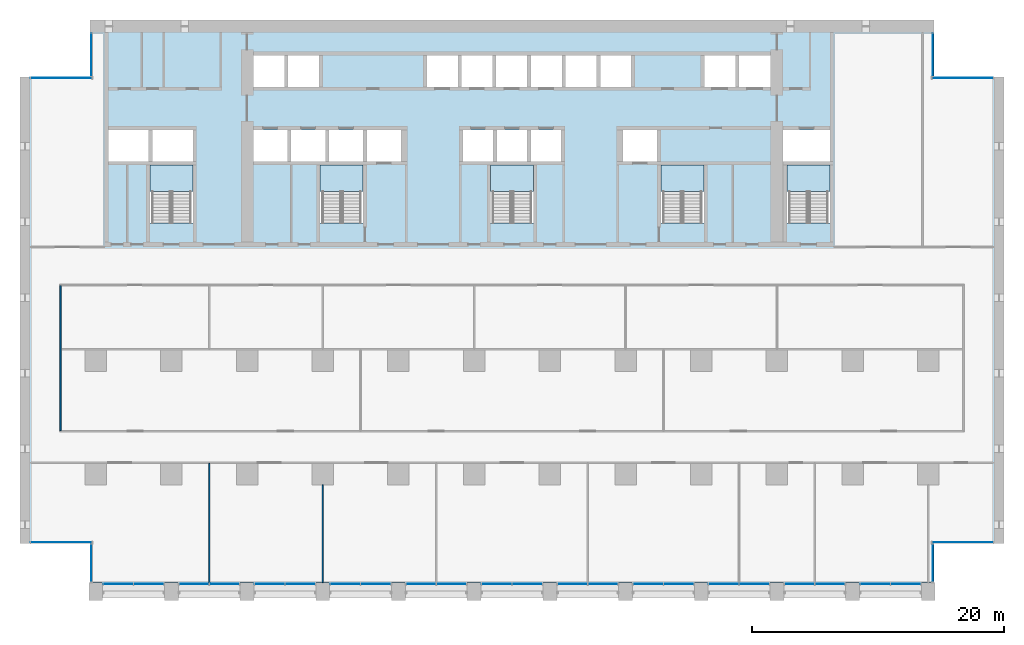
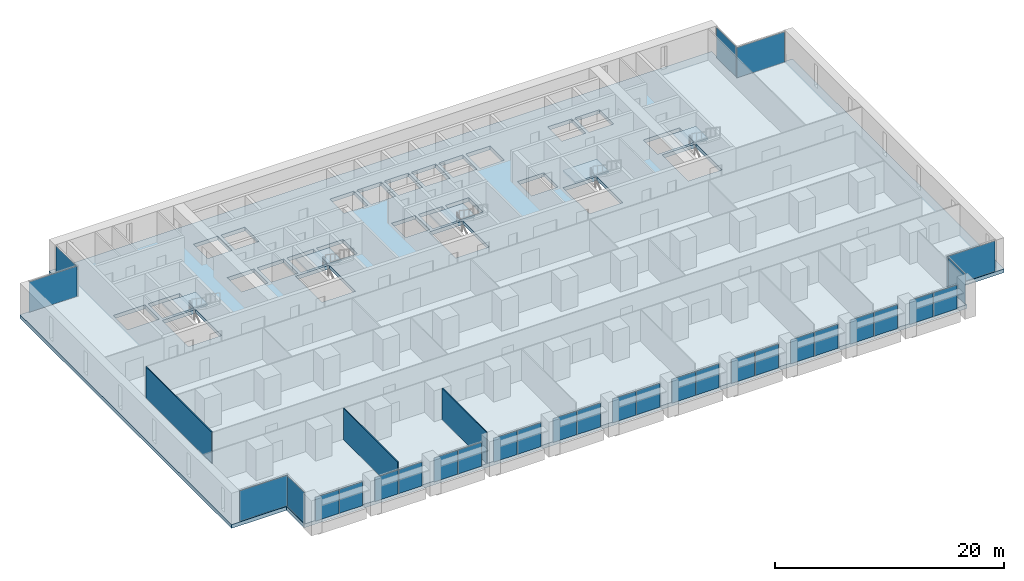
# One storey, part 7 of 18: 30 plates, 6 slabs, 3 walls, 24 elements without a shape of their own.
"""IFC4 building model written with IfcOpenShell, lengths in metres."""

import ifcopenshell
import ifcopenshell.guid

model = None  # the IFC model being written
_history = None  # IfcOwnerHistory: only IFC2X3 demands one
_inside = {}  # id of a spatial element -> (the spatial element, [elements in it])
_under = {}  # id of a project, library or spatial element -> (it, [spatial elements below it])
_declared = {}  # id of a project -> (the project, [libraries it declares])
_typed = {}  # id of a type object -> (the type object, [elements of that type])
_made_of = {}  # id of a material, layer set ... -> (it, [elements and type objects made of it])


def new_model(schema):
    """Start an empty IFC model of exactly this schema.

    Asked for "IFC4X3", IfcOpenShell would pick the latest addendum, in which some entities
    have other attributes; the version numbers below select the first issue.
    IFC2X3 requires an IfcOwnerHistory on every rooted entity: one is made here for all.
    """
    global model, _history
    if schema == "IFC4X3":
        model = ifcopenshell.file(schema_version=(4, 3, 0, 0))
    else:
        model = ifcopenshell.file(schema=schema)
    _inside.clear()
    _under.clear()
    _declared.clear()
    _typed.clear()
    _made_of.clear()
    _history = None
    if model.schema == "IFC2X3":
        org = make("IfcOrganization", Name="unknown")
        user = make(
            "IfcPersonAndOrganization",
            ThePerson=make("IfcPerson", FamilyName="unknown"),
            TheOrganization=org,
        )
        app = make(
            "IfcApplication",
            ApplicationDeveloper=org,
            Version="unknown",
            ApplicationFullName="unknown",
            ApplicationIdentifier="unknown",
        )
        _history = make(
            "IfcOwnerHistory",
            OwningUser=user,
            OwningApplication=app,
            ChangeAction="ADDED",
            CreationDate=0,
        )
    return model


def make(cls, **values):
    """One entity of the class cls with the attributes given. An attribute that is None is left unset."""
    return model.create_entity(
        cls, **{name: value for name, value in values.items() if value is not None}
    )


def rooted(cls, **values):
    """An entity with a GlobalId (a new one), such as an element, a storey or a relation."""
    return make(cls, GlobalId=ifcopenshell.guid.new(), OwnerHistory=_history, **values)


def si_unit(unit_type, name, prefix=None):
    """IfcSIUnit, for example si_unit("LENGTHUNIT", "METRE", prefix="MILLI")."""
    return make("IfcSIUnit", UnitType=unit_type, Prefix=prefix, Name=name)


def assignment(units):
    """IfcUnitAssignment: the units of a project."""
    return None if units is None else make("IfcUnitAssignment", Units=units)


def point(xyz):
    """IfcCartesianPoint."""
    return None if xyz is None else make("IfcCartesianPoint", Coordinates=xyz)


def direction(xyz):
    """IfcDirection."""
    return None if xyz is None else make("IfcDirection", DirectionRatios=xyz)


def frame(location, z_axis=None, x_axis=None):
    """IfcAxis2Placement3D, a coordinate frame: its origin and axes. An axis left out is left unset."""
    return make(
        "IfcAxis2Placement3D",
        Location=point(location),
        Axis=direction(z_axis),
        RefDirection=direction(x_axis),
    )


def frame_2d(location, x_axis=None):
    """IfcAxis2Placement2D, a coordinate frame in the plane: its origin and x axis."""
    return make(
        "IfcAxis2Placement2D", Location=point(location), RefDirection=direction(x_axis)
    )


def origin():
    """The frame at (0, 0, 0) with its axes left unset."""
    return frame((0.0, 0.0, 0.0))


def origin_2d():
    """The frame at (0, 0) in the plane with its x axis left unset."""
    return frame_2d((0.0, 0.0))


def place(relative_to, where):
    """IfcLocalPlacement: puts the frame where relative to a parent placement (None: the world)."""
    return make(
        "IfcLocalPlacement", PlacementRelTo=relative_to, RelativePlacement=where
    )


def context(
    kind, dimensions, precision=None, world=None, true_north=None, identifier=None
):
    """IfcGeometricRepresentationContext, for example the 3D "Model" context."""
    return make(
        "IfcGeometricRepresentationContext",
        ContextIdentifier=identifier,
        ContextType=kind,
        CoordinateSpaceDimension=dimensions,
        Precision=precision,
        WorldCoordinateSystem=world,
        TrueNorth=true_north,
    )


def subcontext(parent, identifier, kind, view, scale=None):
    """IfcGeometricRepresentationSubContext, for example "Body" below "Model"."""
    return make(
        "IfcGeometricRepresentationSubContext",
        ContextIdentifier=identifier,
        ContextType=kind,
        ParentContext=parent,
        TargetScale=scale,
        TargetView=view,
    )


def project(units=None, contexts=None):
    """IfcProject with its units and contexts."""
    return rooted(
        "IfcProject",
        Name="project",
        RepresentationContexts=contexts,
        UnitsInContext=assignment(units),
    )


def spatial(cls, under=None, at=None, **own):
    """A site, building, storey or space (cls), placed at a placement, below another one or the project."""
    s = rooted(cls, ObjectPlacement=at, **own)
    if under is not None:
        _under.setdefault(under.id(), (under, []))[1].append(s)
    return s


def polyline(points):
    """IfcPolyline through the points."""
    return make("IfcPolyline", Points=[point(p) for p in points])


def profile(cls, at=None, kind="AREA", **sizes):
    """A parametric profile (cls). Its sizes go by their IFC names, for example OverallWidth=200.0."""
    return make(cls, ProfileType=kind, Position=at, **sizes)


def rectangle(**sizes):
    """IfcRectangleProfileDef."""
    return profile("IfcRectangleProfileDef", **sizes)


def outline(outer, holes=None, kind="AREA"):
    """IfcArbitraryClosedProfileDef: a profile drawn as a closed curve; with holes, ...WithVoids."""
    if holes is None:
        return make("IfcArbitraryClosedProfileDef", ProfileType=kind, OuterCurve=outer)
    return make(
        "IfcArbitraryProfileDefWithVoids",
        ProfileType=kind,
        OuterCurve=outer,
        InnerCurves=holes,
    )


def extrude(swept, where, along, depth):
    """IfcExtrudedAreaSolid: the profile swept, set in the frame where, extruded along a direction by depth."""
    return make(
        "IfcExtrudedAreaSolid",
        SweptArea=swept,
        Position=where,
        ExtrudedDirection=direction(along),
        Depth=depth,
    )


def shape(context_of_items, identifier, shape_type, items):
    """IfcShapeRepresentation: the items that make up one representation, for example the "Body"."""
    return make(
        "IfcShapeRepresentation",
        ContextOfItems=context_of_items,
        RepresentationIdentifier=identifier,
        RepresentationType=shape_type,
        Items=items,
    )


def material(Name=None, Category=None):
    """IfcMaterial."""
    return make("IfcMaterial", Name=Name, Category=Category)


def layer(
    of_material, thickness, ventilated=None, Name=None, Category=None, Priority=None
):
    """IfcMaterialLayer: one layer of a wall or slab, of a material (None: an air gap)."""
    return make(
        "IfcMaterialLayer",
        Material=of_material,
        LayerThickness=thickness,
        IsVentilated=ventilated,
        Name=Name,
        Category=Category,
        Priority=Priority,
    )


def layer_set(layers, Name=None):
    """IfcMaterialLayerSet."""
    return make("IfcMaterialLayerSet", MaterialLayers=layers, LayerSetName=Name)


def made_of(thing, what):
    """Note that an element or type object is made of a material, layer set ...; save() writes the relation."""
    if what is not None:
        _made_of.setdefault(what.id(), (what, []))[1].append(thing)
    return thing


def type_object(cls, material=None, **own):
    """A type object (cls), such as IfcWallType, which elements share."""
    return made_of(rooted(cls, **own), material)


def element(
    cls,
    number,
    at=None,
    inside=None,
    cuts=None,
    type_object=None,
    material=None,
    context=None,
    identifier="Body",
    shape_type=None,
    held_by="IfcProductDefinitionShape",
    body=None,
    shapes=None,
    **own,
):
    """One element of the class cls, such as IfcWall. Its Tag is "e" and its number.

    at: its placement. inside: the storey or other place that contains it. cuts: it is an
    opening in that element (IfcRelVoidsElement). A single representation is given by context,
    identifier, shape_type and body (its items); several are given by shapes. held_by: the class
    of the entity that holds the representations. save() writes the other relations.
    """
    e = rooted(cls, Tag="e%d" % number, ObjectPlacement=at, **own)
    if body is not None:
        shapes = [shape(context, identifier, shape_type, body)]
    if shapes is not None:
        e.Representation = make(held_by, Representations=shapes)
    if inside is not None:
        _inside.setdefault(inside.id(), (inside, []))[1].append(e)
    if cuts is not None:
        rooted(
            "IfcRelVoidsElement", RelatingBuildingElement=cuts, RelatedOpeningElement=e
        )
    if type_object is not None:
        _typed.setdefault(type_object.id(), (type_object, []))[1].append(e)
    return made_of(e, material)


def aggregate(whole, parts):
    """IfcRelAggregates: a whole, such as a stair, and the parts it consists of."""
    return rooted("IfcRelAggregates", RelatingObject=whole, RelatedObjects=parts)


def save(model, path):
    """Write the relations noted so far, then the file.

    IfcRelAggregates (storeys below a building ...), IfcRelContainedInSpatialStructure (elements
    in a storey), IfcRelDefinesByType, IfcRelAssociatesMaterial and IfcRelDeclares: one each for
    every whole, place, type object, material and project.
    """
    for whole, parts in _under.values():
        aggregate(whole, parts)
    for where, things in _inside.values():
        rooted(
            "IfcRelContainedInSpatialStructure",
            RelatedElements=things,
            RelatingStructure=where,
        )
    for kind, things in _typed.values():
        rooted("IfcRelDefinesByType", RelatedObjects=things, RelatingType=kind)
    for what, things in _made_of.values():
        rooted("IfcRelAssociatesMaterial", RelatedObjects=things, RelatingMaterial=what)
    for by, libraries in _declared.values():
        rooted("IfcRelDeclares", RelatingContext=by, RelatedDefinitions=libraries)
    model.write(path)


model = new_model("IFC4")

# Units and contexts
model_context = context("Model", 3, precision=1e-05, world=origin(), true_north=direction((0.0, 1.0)))
body_context = subcontext(model_context, "Body", "Model", "MODEL_VIEW")
ifc_project = project(units=[si_unit("LENGTHUNIT", "METRE"), si_unit("AREAUNIT", "SQUARE_METRE"), si_unit("VOLUMEUNIT", "CUBIC_METRE"), si_unit("PLANEANGLEUNIT", "RADIAN"), si_unit("MASSUNIT", "GRAM", prefix="KILO")], contexts=[model_context])

# Site, building, storey
site_placement = place(None, origin())
site = spatial("IfcSite", under=ifc_project, at=site_placement, CompositionType="ELEMENT")
building_placement = place(site_placement, origin())
building = spatial("IfcBuilding", under=site, at=building_placement, Name="Calvaro Tower", CompositionType="ELEMENT")
storey_placement = place(building_placement, frame((0.0, 0.0, 48.75)))
storey = spatial("IfcBuildingStorey", under=building, at=storey_placement, Name="L11", CompositionType="ELEMENT", Elevation=48.75)

# Slab
ifc_material_1 = material(Name="Concrete C40/50", Category="concrete")
ifc_layer_1 = layer(ifc_material_1, 0.39990234375)
ifc_layer_set_1 = layer_set([ifc_layer_1], Name="Concrete C40/50")
slab_type_1 = type_object("IfcSlabType", Name="Floor slab 400 C40/50", PredefinedType="FLOOR", material=ifc_layer_set_1)
slab_1_placement = place(storey_placement, frame((0.0, 0.0, -0.39990234375)))
element("IfcSlab", 1, at=slab_1_placement, inside=storey, type_object=slab_type_1, Name="Floor slab", PredefinedType="FLOOR", context=body_context, shape_type="SweptSolid", body=[
    extrude(outline(polyline([(72.449951171875, 4.5), (72.449951171875, 1.39990234375), (5.550048828125, 1.39990234375), (5.550048828125, 4.5), (0.0, 4.5), (0.0, 41.5), (5.550048828125, 41.5), (5.550048828125, 46.0), (72.449951171875, 46.0), (72.449951171875, 41.5), (78.0, 41.5), (78.0, 4.5), (72.449951171875, 4.5)]), holes=[polyline([(10.300048828125, 29.909912109375), (10.300048828125, 34.5), (12.0, 34.5), (13.699951171875, 34.5), (13.699951171875, 29.909912109375), (12.0, 29.909912109375), (10.300048828125, 29.909912109375)]), polyline([(23.800048828125, 29.909912109375), (23.800048828125, 34.5), (25.5, 34.5), (27.199951171875, 34.5), (27.199951171875, 29.909912109375), (25.5, 29.909912109375), (23.800048828125, 29.909912109375)]), polyline([(37.300048828125, 29.909912109375), (37.300048828125, 34.5), (39.0, 34.5), (40.699951171875, 34.5), (40.699951171875, 29.909912109375), (39.0, 29.909912109375), (37.300048828125, 29.909912109375)]), polyline([(50.800048828125, 29.909912109375), (50.800048828125, 34.5), (52.5, 34.5), (54.199951171875, 34.5), (54.199951171875, 29.909912109375), (52.5, 29.909912109375), (50.800048828125, 29.909912109375)]), polyline([(60.800048828125, 29.909912109375), (60.800048828125, 34.5), (62.5, 34.5), (64.199951171875, 34.5), (64.199951171875, 29.909912109375), (62.5, 29.909912109375), (60.800048828125, 29.909912109375)]), polyline([(18.5, 34.800048828125), (21.199951171875, 34.800048828125), (21.199951171875, 37.300048828125), (18.5, 37.300048828125), (18.5, 34.800048828125)]), polyline([(21.5, 34.800048828125), (24.199951171875, 34.800048828125), (24.199951171875, 37.300048828125), (21.5, 37.300048828125), (21.5, 34.800048828125)]), polyline([(24.5, 34.800048828125), (27.199951171875, 34.800048828125), (27.199951171875, 37.300048828125), (24.5, 37.300048828125), (24.5, 34.800048828125)]), polyline([(35.10009765625, 34.800048828125), (37.5, 34.800048828125), (37.5, 37.300048828125), (35.10009765625, 37.300048828125), (35.10009765625, 34.800048828125)]), polyline([(37.800048828125, 34.800048828125), (40.199951171875, 34.800048828125), (40.199951171875, 37.300048828125), (37.800048828125, 37.300048828125), (37.800048828125, 34.800048828125)]), polyline([(40.5, 34.800048828125), (42.89990234375, 34.800048828125), (42.89990234375, 37.300048828125), (40.5, 37.300048828125), (40.5, 34.800048828125)]), polyline([(18.5, 40.699951171875), (20.949951171875, 40.699951171875), (20.949951171875, 43.199951171875), (18.5, 43.199951171875), (18.5, 40.699951171875)]), polyline([(21.25, 40.699951171875), (23.699951171875, 40.699951171875), (23.699951171875, 43.199951171875), (21.25, 43.199951171875), (21.25, 40.699951171875)]), polyline([(32.25, 40.699951171875), (34.699951171875, 40.699951171875), (34.699951171875, 43.199951171875), (32.25, 43.199951171875), (32.25, 40.699951171875)]), polyline([(35.0, 40.699951171875), (37.449951171875, 40.699951171875), (37.449951171875, 43.199951171875), (35.0, 43.199951171875), (35.0, 40.699951171875)]), polyline([(37.75, 40.699951171875), (40.199951171875, 40.699951171875), (40.199951171875, 43.199951171875), (37.75, 43.199951171875), (37.75, 40.699951171875)]), polyline([(40.5, 40.699951171875), (42.949951171875, 40.699951171875), (42.949951171875, 43.199951171875), (40.5, 43.199951171875), (40.5, 40.699951171875)]), polyline([(43.25, 40.699951171875), (45.699951171875, 40.699951171875), (45.699951171875, 43.199951171875), (43.25, 43.199951171875), (43.25, 40.699951171875)]), polyline([(46.0, 40.699951171875), (48.449951171875, 40.699951171875), (48.449951171875, 43.199951171875), (46.0, 43.199951171875), (46.0, 40.699951171875)]), polyline([(54.25, 40.699951171875), (56.699951171875, 40.699951171875), (56.699951171875, 43.199951171875), (54.25, 43.199951171875), (54.25, 40.699951171875)]), polyline([(57.0, 40.699951171875), (59.5, 40.699951171875), (59.5, 43.199951171875), (57.0, 43.199951171875), (57.0, 40.699951171875)]), polyline([(7.0, 34.800048828125), (10.199951171875, 34.800048828125), (10.199951171875, 37.300048828125), (7.0, 37.300048828125), (7.0, 34.800048828125)]), polyline([(10.5, 34.800048828125), (13.699951171875, 34.800048828125), (13.699951171875, 37.300048828125), (10.5, 37.300048828125), (10.5, 34.800048828125)]), polyline([(60.5, 34.800048828125), (64.199951171875, 34.800048828125), (64.199951171875, 37.300048828125), (60.5, 37.300048828125), (60.5, 34.800048828125)]), polyline([(27.5, 34.800048828125), (30.199951171875, 34.800048828125), (30.199951171875, 37.300048828125), (27.5, 37.300048828125), (27.5, 34.800048828125)]), polyline([(47.800048828125, 34.800048828125), (50.5, 34.800048828125), (50.5, 37.300048828125), (47.800048828125, 37.300048828125), (47.800048828125, 34.800048828125)])]), origin(), (0.0, 0.0, 1.0), 0.39990234375),
])

# Curtain wall, plates
ifc_material_2 = material(Name="Anodised aluminium", Category="aluminium")
curtain_wall_type = type_object("IfcCurtainWallType", Name="Office curtain wall, lower zone", PredefinedType="NOTDEFINED", material=ifc_material_2)
curtain_wall_1_placement = place(storey_placement, origin())
curtain_wall_1 = element("IfcCurtainWall", 2, at=curtain_wall_1_placement, inside=storey, type_object=curtain_wall_type, Name="CW1 south curtain wall", PredefinedType="NOTDEFINED")
ifc_material_3 = material(Name="Glass", Category="glass")
ifc_layer_2 = layer(ifc_material_3, 0.028076171875)
ifc_layer_set_2 = layer_set([ifc_layer_2], Name="Glass")
plate_type = type_object("IfcPlateType", Name="Glass panel S1 28", PredefinedType="CURTAIN_PANEL", material=ifc_layer_set_2)
plate_1_placement = place(storey_placement, frame((7.7900390625, 1.300048828125, 0.0), z_axis=(0.0, 0.0, 1.0), x_axis=(1.0, 0.0, 0.0)))
plate_1 = element("IfcPlate", 3, at=plate_1_placement, type_object=plate_type, Name="CW1 glass panel 1.1", PredefinedType="CURTAIN_PANEL", context=body_context, shape_type="SweptSolid", body=[
    extrude(rectangle(XDim=2.360107421875, YDim=0.028076171875, at=origin_2d()), origin(), (0.0, 0.0, 1.0), 2.550048828125),
])
plate_2_placement = place(storey_placement, frame((10.2099609375, 1.300048828125, 0.0), z_axis=(0.0, 0.0, 1.0), x_axis=(1.0, 0.0, 0.0)))
plate_2 = element("IfcPlate", 4, at=plate_2_placement, type_object=plate_type, Name="CW1 glass panel 2.1", PredefinedType="CURTAIN_PANEL", context=body_context, shape_type="SweptSolid", body=[
    extrude(rectangle(XDim=2.360107421875, YDim=0.028076171875, at=origin_2d()), origin(), (0.0, 0.0, 1.0), 2.550048828125),
])
aggregate(curtain_wall_1, [plate_1, plate_2])

curtain_wall_2_placement = place(storey_placement, origin())
curtain_wall_2 = element("IfcCurtainWall", 5, at=curtain_wall_2_placement, inside=storey, type_object=curtain_wall_type, Name="CW1 south curtain wall", PredefinedType="NOTDEFINED")
plate_3_placement = place(storey_placement, frame((13.7900390625, 1.300048828125, 0.0), z_axis=(0.0, 0.0, 1.0), x_axis=(1.0, 0.0, 0.0)))
plate_3 = element("IfcPlate", 6, at=plate_3_placement, type_object=plate_type, Name="CW1 glass panel 1.1", PredefinedType="CURTAIN_PANEL", context=body_context, shape_type="SweptSolid", body=[
    extrude(rectangle(XDim=2.360107421875, YDim=0.028076171875, at=origin_2d()), origin(), (0.0, 0.0, 1.0), 2.550048828125),
])
plate_4_placement = place(storey_placement, frame((16.2099609375, 1.300048828125, 0.0), z_axis=(0.0, 0.0, 1.0), x_axis=(1.0, 0.0, 0.0)))
plate_4 = element("IfcPlate", 7, at=plate_4_placement, type_object=plate_type, Name="CW1 glass panel 2.1", PredefinedType="CURTAIN_PANEL", context=body_context, shape_type="SweptSolid", body=[
    extrude(rectangle(XDim=2.360107421875, YDim=0.028076171875, at=origin_2d()), origin(), (0.0, 0.0, 1.0), 2.550048828125),
])
aggregate(curtain_wall_2, [plate_3, plate_4])

curtain_wall_3_placement = place(storey_placement, origin())
curtain_wall_3 = element("IfcCurtainWall", 8, at=curtain_wall_3_placement, inside=storey, type_object=curtain_wall_type, Name="CW1 south curtain wall", PredefinedType="NOTDEFINED")
plate_5_placement = place(storey_placement, frame((19.7900390625, 1.300048828125, 0.0), z_axis=(0.0, 0.0, 1.0), x_axis=(1.0, 0.0, 0.0)))
plate_5 = element("IfcPlate", 9, at=plate_5_placement, type_object=plate_type, Name="CW1 glass panel 1.1", PredefinedType="CURTAIN_PANEL", context=body_context, shape_type="SweptSolid", body=[
    extrude(rectangle(XDim=2.360107421875, YDim=0.028076171875, at=origin_2d()), origin(), (0.0, 0.0, 1.0), 2.550048828125),
])
plate_6_placement = place(storey_placement, frame((22.2099609375, 1.300048828125, 0.0), z_axis=(0.0, 0.0, 1.0), x_axis=(1.0, 0.0, 0.0)))
plate_6 = element("IfcPlate", 10, at=plate_6_placement, type_object=plate_type, Name="CW1 glass panel 2.1", PredefinedType="CURTAIN_PANEL", context=body_context, shape_type="SweptSolid", body=[
    extrude(rectangle(XDim=2.360107421875, YDim=0.028076171875, at=origin_2d()), origin(), (0.0, 0.0, 1.0), 2.550048828125),
])
aggregate(curtain_wall_3, [plate_5, plate_6])

curtain_wall_4_placement = place(storey_placement, origin())
curtain_wall_4 = element("IfcCurtainWall", 11, at=curtain_wall_4_placement, inside=storey, type_object=curtain_wall_type, Name="CW1 south curtain wall", PredefinedType="NOTDEFINED")
plate_7_placement = place(storey_placement, frame((25.7900390625, 1.300048828125, 0.0), z_axis=(0.0, 0.0, 1.0), x_axis=(1.0, 0.0, 0.0)))
plate_7 = element("IfcPlate", 12, at=plate_7_placement, type_object=plate_type, Name="CW1 glass panel 1.1", PredefinedType="CURTAIN_PANEL", context=body_context, shape_type="SweptSolid", body=[
    extrude(rectangle(XDim=2.360107421875, YDim=0.028076171875, at=origin_2d()), origin(), (0.0, 0.0, 1.0), 2.550048828125),
])
plate_8_placement = place(storey_placement, frame((28.2099609375, 1.300048828125, 0.0), z_axis=(0.0, 0.0, 1.0), x_axis=(1.0, 0.0, 0.0)))
plate_8 = element("IfcPlate", 13, at=plate_8_placement, type_object=plate_type, Name="CW1 glass panel 2.1", PredefinedType="CURTAIN_PANEL", context=body_context, shape_type="SweptSolid", body=[
    extrude(rectangle(XDim=2.360107421875, YDim=0.028076171875, at=origin_2d()), origin(), (0.0, 0.0, 1.0), 2.550048828125),
])
aggregate(curtain_wall_4, [plate_7, plate_8])

curtain_wall_5_placement = place(storey_placement, origin())
curtain_wall_5 = element("IfcCurtainWall", 14, at=curtain_wall_5_placement, inside=storey, type_object=curtain_wall_type, Name="CW1 south curtain wall", PredefinedType="NOTDEFINED")
plate_9_placement = place(storey_placement, frame((31.7900390625, 1.300048828125, 0.0), z_axis=(0.0, 0.0, 1.0), x_axis=(1.0, 0.0, 0.0)))
plate_9 = element("IfcPlate", 15, at=plate_9_placement, type_object=plate_type, Name="CW1 glass panel 1.1", PredefinedType="CURTAIN_PANEL", context=body_context, shape_type="SweptSolid", body=[
    extrude(rectangle(XDim=2.360107421875, YDim=0.028076171875, at=origin_2d()), origin(), (0.0, 0.0, 1.0), 2.550048828125),
])
plate_10_placement = place(storey_placement, frame((34.2099609375, 1.300048828125, 0.0), z_axis=(0.0, 0.0, 1.0), x_axis=(1.0, 0.0, 0.0)))
plate_10 = element("IfcPlate", 16, at=plate_10_placement, type_object=plate_type, Name="CW1 glass panel 2.1", PredefinedType="CURTAIN_PANEL", context=body_context, shape_type="SweptSolid", body=[
    extrude(rectangle(XDim=2.360107421875, YDim=0.028076171875, at=origin_2d()), origin(), (0.0, 0.0, 1.0), 2.550048828125),
])
aggregate(curtain_wall_5, [plate_9, plate_10])

curtain_wall_6_placement = place(storey_placement, origin())
curtain_wall_6 = element("IfcCurtainWall", 17, at=curtain_wall_6_placement, inside=storey, type_object=curtain_wall_type, Name="CW1 south curtain wall", PredefinedType="NOTDEFINED")
plate_11_placement = place(storey_placement, frame((37.7900390625, 1.300048828125, 0.0), z_axis=(0.0, 0.0, 1.0), x_axis=(1.0, 0.0, 0.0)))
plate_11 = element("IfcPlate", 18, at=plate_11_placement, type_object=plate_type, Name="CW1 glass panel 1.1", PredefinedType="CURTAIN_PANEL", context=body_context, shape_type="SweptSolid", body=[
    extrude(rectangle(XDim=2.360107421875, YDim=0.028076171875, at=origin_2d()), origin(), (0.0, 0.0, 1.0), 2.550048828125),
])
plate_12_placement = place(storey_placement, frame((40.2099609375, 1.300048828125, 0.0), z_axis=(0.0, 0.0, 1.0), x_axis=(1.0, 0.0, 0.0)))
plate_12 = element("IfcPlate", 19, at=plate_12_placement, type_object=plate_type, Name="CW1 glass panel 2.1", PredefinedType="CURTAIN_PANEL", context=body_context, shape_type="SweptSolid", body=[
    extrude(rectangle(XDim=2.360107421875, YDim=0.028076171875, at=origin_2d()), origin(), (0.0, 0.0, 1.0), 2.550048828125),
])
aggregate(curtain_wall_6, [plate_11, plate_12])

curtain_wall_7_placement = place(storey_placement, origin())
curtain_wall_7 = element("IfcCurtainWall", 20, at=curtain_wall_7_placement, inside=storey, type_object=curtain_wall_type, Name="CW1 south curtain wall", PredefinedType="NOTDEFINED")
plate_13_placement = place(storey_placement, frame((43.7900390625, 1.300048828125, 0.0), z_axis=(0.0, 0.0, 1.0), x_axis=(1.0, 0.0, 0.0)))
plate_13 = element("IfcPlate", 21, at=plate_13_placement, type_object=plate_type, Name="CW1 glass panel 1.1", PredefinedType="CURTAIN_PANEL", context=body_context, shape_type="SweptSolid", body=[
    extrude(rectangle(XDim=2.360107421875, YDim=0.028076171875, at=origin_2d()), origin(), (0.0, 0.0, 1.0), 2.550048828125),
])
plate_14_placement = place(storey_placement, frame((46.2099609375, 1.300048828125, 0.0), z_axis=(0.0, 0.0, 1.0), x_axis=(1.0, 0.0, 0.0)))
plate_14 = element("IfcPlate", 22, at=plate_14_placement, type_object=plate_type, Name="CW1 glass panel 2.1", PredefinedType="CURTAIN_PANEL", context=body_context, shape_type="SweptSolid", body=[
    extrude(rectangle(XDim=2.360107421875, YDim=0.028076171875, at=origin_2d()), origin(), (0.0, 0.0, 1.0), 2.550048828125),
])
aggregate(curtain_wall_7, [plate_13, plate_14])

curtain_wall_8_placement = place(storey_placement, origin())
curtain_wall_8 = element("IfcCurtainWall", 23, at=curtain_wall_8_placement, inside=storey, type_object=curtain_wall_type, Name="CW1 south curtain wall", PredefinedType="NOTDEFINED")
plate_15_placement = place(storey_placement, frame((49.7900390625, 1.300048828125, 0.0), z_axis=(0.0, 0.0, 1.0), x_axis=(1.0, 0.0, 0.0)))
plate_15 = element("IfcPlate", 24, at=plate_15_placement, type_object=plate_type, Name="CW1 glass panel 1.1", PredefinedType="CURTAIN_PANEL", context=body_context, shape_type="SweptSolid", body=[
    extrude(rectangle(XDim=2.360107421875, YDim=0.028076171875, at=origin_2d()), origin(), (0.0, 0.0, 1.0), 2.550048828125),
])
plate_16_placement = place(storey_placement, frame((52.2099609375, 1.300048828125, 0.0), z_axis=(0.0, 0.0, 1.0), x_axis=(1.0, 0.0, 0.0)))
plate_16 = element("IfcPlate", 25, at=plate_16_placement, type_object=plate_type, Name="CW1 glass panel 2.1", PredefinedType="CURTAIN_PANEL", context=body_context, shape_type="SweptSolid", body=[
    extrude(rectangle(XDim=2.360107421875, YDim=0.028076171875, at=origin_2d()), origin(), (0.0, 0.0, 1.0), 2.550048828125),
])
aggregate(curtain_wall_8, [plate_15, plate_16])

curtain_wall_9_placement = place(storey_placement, origin())
curtain_wall_9 = element("IfcCurtainWall", 26, at=curtain_wall_9_placement, inside=storey, type_object=curtain_wall_type, Name="CW1 south curtain wall", PredefinedType="NOTDEFINED")
plate_17_placement = place(storey_placement, frame((55.7900390625, 1.300048828125, 0.0), z_axis=(0.0, 0.0, 1.0), x_axis=(1.0, 0.0, 0.0)))
plate_17 = element("IfcPlate", 27, at=plate_17_placement, type_object=plate_type, Name="CW1 glass panel 1.1", PredefinedType="CURTAIN_PANEL", context=body_context, shape_type="SweptSolid", body=[
    extrude(rectangle(XDim=2.360107421875, YDim=0.028076171875, at=origin_2d()), origin(), (0.0, 0.0, 1.0), 2.550048828125),
])
plate_18_placement = place(storey_placement, frame((58.2099609375, 1.300048828125, 0.0), z_axis=(0.0, 0.0, 1.0), x_axis=(1.0, 0.0, 0.0)))
plate_18 = element("IfcPlate", 28, at=plate_18_placement, type_object=plate_type, Name="CW1 glass panel 2.1", PredefinedType="CURTAIN_PANEL", context=body_context, shape_type="SweptSolid", body=[
    extrude(rectangle(XDim=2.360107421875, YDim=0.028076171875, at=origin_2d()), origin(), (0.0, 0.0, 1.0), 2.550048828125),
])
aggregate(curtain_wall_9, [plate_17, plate_18])

curtain_wall_10_placement = place(storey_placement, origin())
curtain_wall_10 = element("IfcCurtainWall", 29, at=curtain_wall_10_placement, inside=storey, type_object=curtain_wall_type, Name="CW1 south curtain wall", PredefinedType="NOTDEFINED")
plate_19_placement = place(storey_placement, frame((61.7900390625, 1.300048828125, 0.0), z_axis=(0.0, 0.0, 1.0), x_axis=(1.0, 0.0, 0.0)))
plate_19 = element("IfcPlate", 30, at=plate_19_placement, type_object=plate_type, Name="CW1 glass panel 1.1", PredefinedType="CURTAIN_PANEL", context=body_context, shape_type="SweptSolid", body=[
    extrude(rectangle(XDim=2.360107421875, YDim=0.028076171875, at=origin_2d()), origin(), (0.0, 0.0, 1.0), 2.550048828125),
])
plate_20_placement = place(storey_placement, frame((64.2099609375, 1.300048828125, 0.0), z_axis=(0.0, 0.0, 1.0), x_axis=(1.0, 0.0, 0.0)))
plate_20 = element("IfcPlate", 31, at=plate_20_placement, type_object=plate_type, Name="CW1 glass panel 2.1", PredefinedType="CURTAIN_PANEL", context=body_context, shape_type="SweptSolid", body=[
    extrude(rectangle(XDim=2.360107421875, YDim=0.028076171875, at=origin_2d()), origin(), (0.0, 0.0, 1.0), 2.550048828125),
])
aggregate(curtain_wall_10, [plate_19, plate_20])

curtain_wall_11_placement = place(storey_placement, origin())
curtain_wall_11 = element("IfcCurtainWall", 32, at=curtain_wall_11_placement, inside=storey, type_object=curtain_wall_type, Name="CW1 south curtain wall", PredefinedType="NOTDEFINED")
plate_21_placement = place(storey_placement, frame((67.7900390625, 1.300048828125, 0.0), z_axis=(0.0, 0.0, 1.0), x_axis=(1.0, 0.0, 0.0)))
plate_21 = element("IfcPlate", 33, at=plate_21_placement, type_object=plate_type, Name="CW1 glass panel 1.1", PredefinedType="CURTAIN_PANEL", context=body_context, shape_type="SweptSolid", body=[
    extrude(rectangle(XDim=2.360107421875, YDim=0.028076171875, at=origin_2d()), origin(), (0.0, 0.0, 1.0), 2.550048828125),
])
plate_22_placement = place(storey_placement, frame((70.2099609375, 1.300048828125, 0.0), z_axis=(0.0, 0.0, 1.0), x_axis=(1.0, 0.0, 0.0)))
plate_22 = element("IfcPlate", 34, at=plate_22_placement, type_object=plate_type, Name="CW1 glass panel 2.1", PredefinedType="CURTAIN_PANEL", context=body_context, shape_type="SweptSolid", body=[
    extrude(rectangle(XDim=2.360107421875, YDim=0.028076171875, at=origin_2d()), origin(), (0.0, 0.0, 1.0), 2.550048828125),
])
aggregate(curtain_wall_11, [plate_21, plate_22])

# Curtain wall, plate
curtain_wall_12_placement = place(storey_placement, origin())
curtain_wall_12 = element("IfcCurtainWall", 35, at=curtain_wall_12_placement, inside=storey, type_object=curtain_wall_type, Name="CW1 corner curtain wall", PredefinedType="NOTDEFINED")
plate_23_placement = place(storey_placement, frame((5.64990234375, 2.949951171875, 0.0), z_axis=(0.0, 0.0, 1.0), x_axis=(0.0, 1.0, 0.0)))
plate_23 = element("IfcPlate", 36, at=plate_23_placement, type_object=plate_type, Name="CW1 glass panel 1.1", PredefinedType="CURTAIN_PANEL", context=body_context, shape_type="SweptSolid", body=[
    extrude(rectangle(XDim=2.97998046875, YDim=0.028076171875, at=origin_2d()), origin(), (0.0, 0.0, 1.0), 3.25),
])
aggregate(curtain_wall_12, [plate_23])

curtain_wall_13_placement = place(storey_placement, origin())
curtain_wall_13 = element("IfcCurtainWall", 37, at=curtain_wall_13_placement, inside=storey, type_object=curtain_wall_type, Name="CW1 corner curtain wall", PredefinedType="NOTDEFINED")
plate_24_placement = place(storey_placement, frame((3.27490234375, 4.60009765625, 0.0), z_axis=(0.0, 0.0, 1.0), x_axis=(1.0, 0.0, 0.0)))
plate_24 = element("IfcPlate", 38, at=plate_24_placement, type_object=plate_type, Name="CW1 glass panel 1.1", PredefinedType="CURTAIN_PANEL", context=body_context, shape_type="SweptSolid", body=[
    extrude(rectangle(XDim=4.830078125, YDim=0.028076171875, at=origin_2d()), origin(), (0.0, 0.0, 1.0), 3.25),
])
aggregate(curtain_wall_13, [plate_24])

curtain_wall_14_placement = place(storey_placement, origin())
curtain_wall_14 = element("IfcCurtainWall", 39, at=curtain_wall_14_placement, inside=storey, type_object=curtain_wall_type, Name="CW1 corner curtain wall", PredefinedType="NOTDEFINED")
plate_25_placement = place(storey_placement, frame((5.64990234375, 43.25, 0.0), z_axis=(0.0, 0.0, 1.0), x_axis=(0.0, 1.0, 0.0)))
plate_25 = element("IfcPlate", 40, at=plate_25_placement, type_object=plate_type, Name="CW1 glass panel 1.1", PredefinedType="CURTAIN_PANEL", context=body_context, shape_type="SweptSolid", body=[
    extrude(rectangle(XDim=3.3798828125, YDim=0.028076171875, at=origin_2d()), origin(), (0.0, 0.0, 1.0), 3.25),
])
aggregate(curtain_wall_14, [plate_25])

curtain_wall_15_placement = place(storey_placement, origin())
curtain_wall_15 = element("IfcCurtainWall", 41, at=curtain_wall_15_placement, inside=storey, type_object=curtain_wall_type, Name="CW1 corner curtain wall", PredefinedType="NOTDEFINED")
plate_26_placement = place(storey_placement, frame((3.27490234375, 41.39990234375, 0.0), z_axis=(0.0, 0.0, 1.0), x_axis=(1.0, 0.0, 0.0)))
plate_26 = element("IfcPlate", 42, at=plate_26_placement, type_object=plate_type, Name="CW1 glass panel 1.1", PredefinedType="CURTAIN_PANEL", context=body_context, shape_type="SweptSolid", body=[
    extrude(rectangle(XDim=4.830078125, YDim=0.028076171875, at=origin_2d()), origin(), (0.0, 0.0, 1.0), 3.25),
])
aggregate(curtain_wall_15, [plate_26])

curtain_wall_16_placement = place(storey_placement, origin())
curtain_wall_16 = element("IfcCurtainWall", 43, at=curtain_wall_16_placement, inside=storey, type_object=curtain_wall_type, Name="CW1 corner curtain wall", PredefinedType="NOTDEFINED")
plate_27_placement = place(storey_placement, frame((72.35009765625, 2.949951171875, 0.0), z_axis=(0.0, 0.0, 1.0), x_axis=(0.0, 1.0, 0.0)))
plate_27 = element("IfcPlate", 44, at=plate_27_placement, type_object=plate_type, Name="CW1 glass panel 1.1", PredefinedType="CURTAIN_PANEL", context=body_context, shape_type="SweptSolid", body=[
    extrude(rectangle(XDim=2.97998046875, YDim=0.028076171875, at=origin_2d()), origin(), (0.0, 0.0, 1.0), 3.25),
])
aggregate(curtain_wall_16, [plate_27])

curtain_wall_17_placement = place(storey_placement, origin())
curtain_wall_17 = element("IfcCurtainWall", 45, at=curtain_wall_17_placement, inside=storey, type_object=curtain_wall_type, Name="CW1 corner curtain wall", PredefinedType="NOTDEFINED")
plate_28_placement = place(storey_placement, frame((74.72509765625, 4.60009765625, 0.0), z_axis=(0.0, 0.0, 1.0), x_axis=(1.0, 0.0, 0.0)))
plate_28 = element("IfcPlate", 46, at=plate_28_placement, type_object=plate_type, Name="CW1 glass panel 1.1", PredefinedType="CURTAIN_PANEL", context=body_context, shape_type="SweptSolid", body=[
    extrude(rectangle(XDim=4.830078125, YDim=0.028076171875, at=origin_2d()), origin(), (0.0, 0.0, 1.0), 3.25),
])
aggregate(curtain_wall_17, [plate_28])

curtain_wall_18_placement = place(storey_placement, origin())
curtain_wall_18 = element("IfcCurtainWall", 47, at=curtain_wall_18_placement, inside=storey, type_object=curtain_wall_type, Name="CW1 corner curtain wall", PredefinedType="NOTDEFINED")
plate_29_placement = place(storey_placement, frame((72.35009765625, 43.25, 0.0), z_axis=(0.0, 0.0, 1.0), x_axis=(0.0, 1.0, 0.0)))
plate_29 = element("IfcPlate", 48, at=plate_29_placement, type_object=plate_type, Name="CW1 glass panel 1.1", PredefinedType="CURTAIN_PANEL", context=body_context, shape_type="SweptSolid", body=[
    extrude(rectangle(XDim=3.3798828125, YDim=0.028076171875, at=origin_2d()), origin(), (0.0, 0.0, 1.0), 3.25),
])
aggregate(curtain_wall_18, [plate_29])

curtain_wall_19_placement = place(storey_placement, origin())
curtain_wall_19 = element("IfcCurtainWall", 49, at=curtain_wall_19_placement, inside=storey, type_object=curtain_wall_type, Name="CW1 corner curtain wall", PredefinedType="NOTDEFINED")
plate_30_placement = place(storey_placement, frame((74.72509765625, 41.39990234375, 0.0), z_axis=(0.0, 0.0, 1.0), x_axis=(1.0, 0.0, 0.0)))
plate_30 = element("IfcPlate", 50, at=plate_30_placement, type_object=plate_type, Name="CW1 glass panel 1.1", PredefinedType="CURTAIN_PANEL", context=body_context, shape_type="SweptSolid", body=[
    extrude(rectangle(XDim=4.830078125, YDim=0.028076171875, at=origin_2d()), origin(), (0.0, 0.0, 1.0), 3.25),
])
aggregate(curtain_wall_19, [plate_30])

# Stair, slab
ifc_material_4 = material(Name="Concrete C40/50", Category="concrete")
stair_type = type_object("IfcStairType", Name="Exit stair 1400 2 flights", PredefinedType="HALF_TURN_STAIR", material=ifc_material_4)
stair_1_placement = place(storey_placement, origin())
stair_1 = element("IfcStair", 51, at=stair_1_placement, inside=storey, type_object=stair_type, Name="Exit stair S1", PredefinedType="HALF_TURN_STAIR")
ifc_material_5 = material(Name="Concrete C40/50", Category="concrete")
ifc_layer_3 = layer(ifc_material_5, 0.199951171875)
ifc_layer_set_3 = layer_set([ifc_layer_3], Name="Concrete C40/50")
slab_type_2 = type_object("IfcSlabType", Name="Stair landing", PredefinedType="LANDING", material=ifc_layer_set_3)
slab_2_placement = place(storey_placement, frame((0.0, 0.0, 1.675048828125)))
slab_2 = element("IfcSlab", 52, at=slab_2_placement, type_object=slab_type_2, Name="Exit stair 1, landing 1", PredefinedType="LANDING", context=body_context, shape_type="SweptSolid", body=[
    extrude(outline(polyline([(11.89990234375, 32.389892578125), (10.5, 32.389892578125), (10.5, 32.39990234375), (10.300048828125, 32.39990234375), (10.300048828125, 34.5), (10.5, 34.5), (11.89990234375, 34.5), (12.10009765625, 34.5), (13.5, 34.5), (13.699951171875, 34.5), (13.699951171875, 32.39990234375), (13.5, 32.39990234375), (13.5, 32.389892578125), (12.10009765625, 32.389892578125), (12.10009765625, 32.39990234375), (11.89990234375, 32.39990234375), (11.89990234375, 32.389892578125)])), origin(), (0.0, 0.0, 1.0), 0.199951171875),
])
aggregate(stair_1, [slab_2])

stair_2_placement = place(storey_placement, origin())
stair_2 = element("IfcStair", 53, at=stair_2_placement, inside=storey, type_object=stair_type, Name="Exit stair S2", PredefinedType="HALF_TURN_STAIR")
slab_3_placement = place(storey_placement, frame((0.0, 0.0, 1.675048828125)))
slab_3 = element("IfcSlab", 54, at=slab_3_placement, type_object=slab_type_2, Name="Exit stair 2, landing 1", PredefinedType="LANDING", context=body_context, shape_type="SweptSolid", body=[
    extrude(outline(polyline([(25.39990234375, 32.389892578125), (24.0, 32.389892578125), (24.0, 32.39990234375), (23.800048828125, 32.39990234375), (23.800048828125, 34.5), (24.0, 34.5), (25.39990234375, 34.5), (25.60009765625, 34.5), (27.0, 34.5), (27.199951171875, 34.5), (27.199951171875, 32.39990234375), (27.0, 32.39990234375), (27.0, 32.389892578125), (25.60009765625, 32.389892578125), (25.60009765625, 32.39990234375), (25.39990234375, 32.39990234375), (25.39990234375, 32.389892578125)])), origin(), (0.0, 0.0, 1.0), 0.199951171875),
])
aggregate(stair_2, [slab_3])

stair_3_placement = place(storey_placement, origin())
stair_3 = element("IfcStair", 55, at=stair_3_placement, inside=storey, type_object=stair_type, Name="Exit stair S3", PredefinedType="HALF_TURN_STAIR")
slab_4_placement = place(storey_placement, frame((0.0, 0.0, 1.675048828125)))
slab_4 = element("IfcSlab", 56, at=slab_4_placement, type_object=slab_type_2, Name="Exit stair 3, landing 1", PredefinedType="LANDING", context=body_context, shape_type="SweptSolid", body=[
    extrude(outline(polyline([(38.89990234375, 32.389892578125), (37.5, 32.389892578125), (37.5, 32.39990234375), (37.300048828125, 32.39990234375), (37.300048828125, 34.5), (37.5, 34.5), (38.89990234375, 34.5), (39.10009765625, 34.5), (40.5, 34.5), (40.699951171875, 34.5), (40.699951171875, 32.39990234375), (40.5, 32.39990234375), (40.5, 32.389892578125), (39.10009765625, 32.389892578125), (39.10009765625, 32.39990234375), (38.89990234375, 32.39990234375), (38.89990234375, 32.389892578125)])), origin(), (0.0, 0.0, 1.0), 0.199951171875),
])
aggregate(stair_3, [slab_4])

stair_4_placement = place(storey_placement, origin())
stair_4 = element("IfcStair", 57, at=stair_4_placement, inside=storey, type_object=stair_type, Name="Exit stair S4", PredefinedType="HALF_TURN_STAIR")
slab_5_placement = place(storey_placement, frame((0.0, 0.0, 1.675048828125)))
slab_5 = element("IfcSlab", 58, at=slab_5_placement, type_object=slab_type_2, Name="Exit stair 4, landing 1", PredefinedType="LANDING", context=body_context, shape_type="SweptSolid", body=[
    extrude(outline(polyline([(52.39990234375, 32.389892578125), (51.0, 32.389892578125), (51.0, 32.39990234375), (50.800048828125, 32.39990234375), (50.800048828125, 34.5), (51.0, 34.5), (52.39990234375, 34.5), (52.60009765625, 34.5), (54.0, 34.5), (54.199951171875, 34.5), (54.199951171875, 32.39990234375), (54.0, 32.39990234375), (54.0, 32.389892578125), (52.60009765625, 32.389892578125), (52.60009765625, 32.39990234375), (52.39990234375, 32.39990234375), (52.39990234375, 32.389892578125)])), origin(), (0.0, 0.0, 1.0), 0.199951171875),
])
aggregate(stair_4, [slab_5])

stair_5_placement = place(storey_placement, origin())
stair_5 = element("IfcStair", 59, at=stair_5_placement, inside=storey, type_object=stair_type, Name="Exit stair S5", PredefinedType="HALF_TURN_STAIR")
slab_6_placement = place(storey_placement, frame((0.0, 0.0, 1.675048828125)))
slab_6 = element("IfcSlab", 60, at=slab_6_placement, type_object=slab_type_2, Name="Exit stair 5, landing 1", PredefinedType="LANDING", context=body_context, shape_type="SweptSolid", body=[
    extrude(outline(polyline([(62.39990234375, 32.389892578125), (61.0, 32.389892578125), (61.0, 32.39990234375), (60.800048828125, 32.39990234375), (60.800048828125, 34.5), (61.0, 34.5), (62.39990234375, 34.5), (62.60009765625, 34.5), (64.0, 34.5), (64.199951171875, 34.5), (64.199951171875, 32.39990234375), (64.0, 32.39990234375), (64.0, 32.389892578125), (62.60009765625, 32.389892578125), (62.60009765625, 32.39990234375), (62.39990234375, 32.39990234375), (62.39990234375, 32.389892578125)])), origin(), (0.0, 0.0, 1.0), 0.199951171875),
])
aggregate(stair_5, [slab_6])

# Walls
ifc_material_6 = material(Name="Plasterboard on steel studs", Category="steel")
ifc_layer_4 = layer(ifc_material_6, 0.10009765625)
ifc_layer_set_4 = layer_set([ifc_layer_4], Name="Plasterboard on steel studs")
wall_type = type_object("IfcWallType", Name="Partition 100", PredefinedType="PARTITIONING", material=ifc_layer_set_4)
wall_1_placement = place(storey_placement, frame((3.199951171875, 13.449951171875, 0.0), z_axis=(0.0, 0.0, 1.0), x_axis=(0.0, 1.0, 0.0)))
element("IfcWall", 61, at=wall_1_placement, inside=storey, type_object=wall_type, Name="Partition T10.W007", PredefinedType="PARTITIONING", context=body_context, shape_type="SweptSolid", body=[
    extrude(rectangle(XDim=11.5, YDim=0.10009765625, at=frame_2d((5.75, 0.0))), origin(), (0.0, 0.0, 1.0), 3.35009765625),
])
wall_2_placement = place(storey_placement, frame((15.0, 1.39990234375, 0.0), z_axis=(0.0, 0.0, 1.0), x_axis=(0.0, 1.0, 0.0)))
element("IfcWall", 62, at=wall_2_placement, inside=storey, type_object=wall_type, Name="Partition T10.W008", PredefinedType="PARTITIONING", context=body_context, shape_type="SweptSolid", body=[
    extrude(rectangle(XDim=9.4501953125, YDim=0.10009765625, at=frame_2d((4.72509765625, 0.0))), origin(), (0.0, 0.0, 1.0), 3.35009765625),
])
wall_3_placement = place(storey_placement, frame((24.0, 1.39990234375, 0.0), z_axis=(0.0, 0.0, 1.0), x_axis=(0.0, 1.0, 0.0)))
element("IfcWall", 63, at=wall_3_placement, inside=storey, type_object=wall_type, Name="Partition T10.W010", PredefinedType="PARTITIONING", context=body_context, shape_type="SweptSolid", body=[
    extrude(rectangle(XDim=7.75, YDim=0.10009765625, at=frame_2d((3.875, 0.0))), origin(), (0.0, 0.0, 1.0), 3.35009765625),
])

save(model, "model.ifc")
